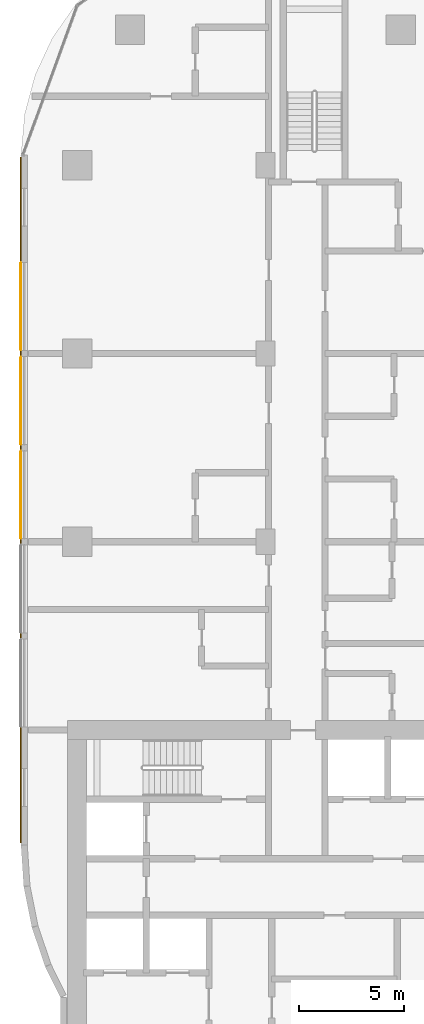
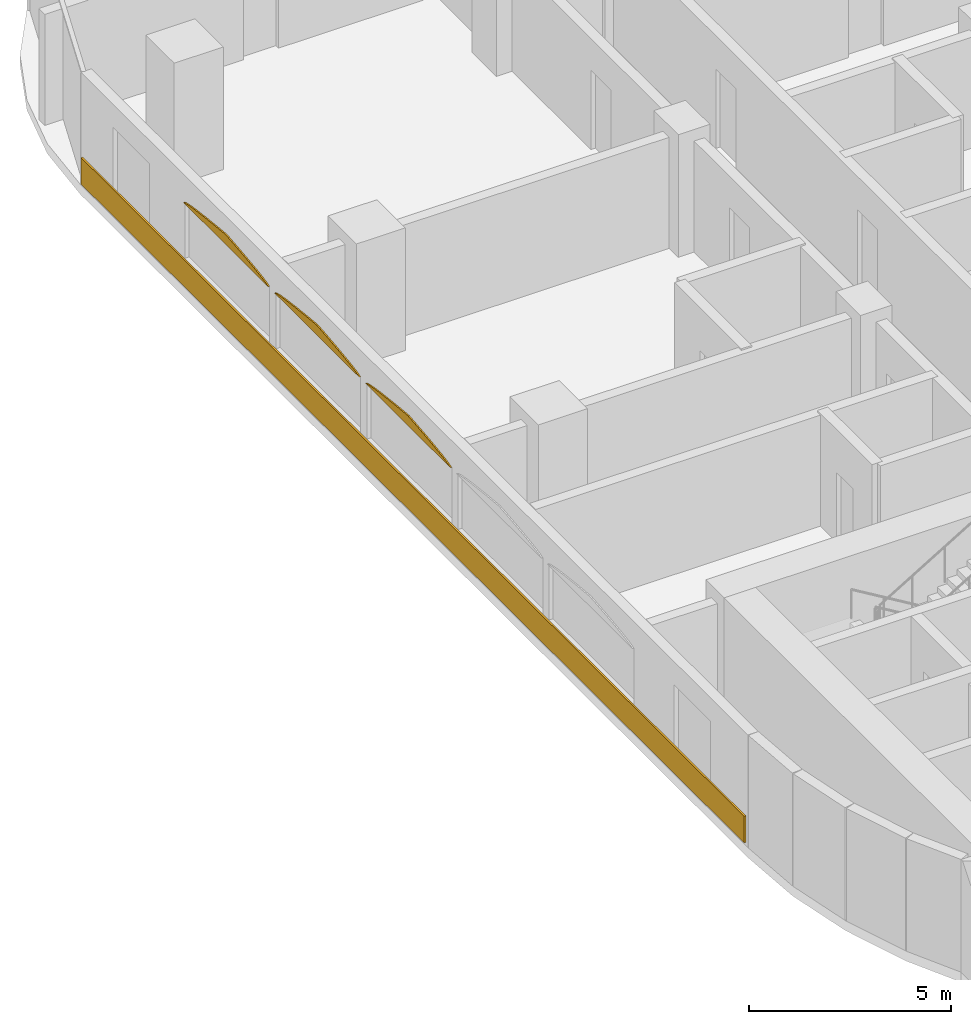
# One storey, part 32 of 34: 4 coverings.
"""IFC4 building model written with IfcOpenShell, lengths in metres."""

from ifc_helpers import new_model, si_unit, direction, frame, origin, origin_2d, place, context, subcontext, project, spatial, polyline, rectangle, outline, extrude, material, layer, layer_set, type_object, element, save


model = new_model("IFC4")

# Units and contexts
model_context = context("Model", 3, precision=1e-05, world=origin(), true_north=direction((0.0, 1.0)))
body_context = subcontext(model_context, "Body", "Model", "MODEL_VIEW")
ifc_project = project(units=[si_unit("LENGTHUNIT", "METRE"), si_unit("AREAUNIT", "SQUARE_METRE"), si_unit("VOLUMEUNIT", "CUBIC_METRE"), si_unit("PLANEANGLEUNIT", "RADIAN"), si_unit("MASSUNIT", "GRAM", prefix="KILO")], contexts=[model_context])

# Site, building, storey
site_placement = place(None, origin())
site = spatial("IfcSite", under=ifc_project, at=site_placement, CompositionType="ELEMENT")
building_placement = place(site_placement, origin())
building = spatial("IfcBuilding", under=site, at=building_placement, Name="Ogive Portal Towers", CompositionType="ELEMENT")
storey_placement = place(building_placement, frame((0.0, 0.0, 66.800048828125)))
storey = spatial("IfcBuildingStorey", under=building, at=storey_placement, Name="L15", CompositionType="ELEMENT", Elevation=66.800048828125)

# Coverings
ifc_material = material(Name="Limestone cladding on lightweight block wall", Category="masonry")
ifc_layer_1 = layer(ifc_material, 0.0400390625)
ifc_layer_set_1 = layer_set([ifc_layer_1], Name="LANCET HEAD STONE")
covering_type_1 = type_object("IfcCoveringType", Name="LANCET HEAD STONE", PredefinedType="CLADDING", material=ifc_layer_set_1)
for number, where, z_axis, x_axis, name in (
    (1, (28.820068359375, 61.85009765625, 2.599853515625), (0.999947746022, 0.0, 0.010222779737), (0.0, -1.0, 0.0), "Lancet head"),
    (2, (28.820068359375, 57.35009765625, 2.599853515625), (0.999947746022, 0.0, 0.010222779737), (0.0, -1.0, 0.0), "Lancet head"),
    (3, (28.820068359375, 52.85009765625, 2.599853515625), (0.999947746022, 0.0, 0.010222779737), (0.0, -1.0, 0.0), "Lancet head"),
):
    element("IfcCovering", number, at=place(storey_placement, frame(where, z_axis=z_axis, x_axis=x_axis)), inside=storey, type_object=covering_type_1, Name=name, PredefinedType="CLADDING", context=body_context, shape_type="SweptSolid", body=[
        extrude(outline(polyline([(0.0, 0.0), (4.2001953125, 0.0), (4.107177734375, -0.03760068321456534), (3.9375, -0.07519887063329651), (3.7177734375, -0.11255542598018069), (3.45751953125, -0.15015361339891187), (3.162353515625, -0.18751016874579607), (2.836181640625, -0.2251083561645272), (2.481201171875, -0.26270903937909257), (2.10009765625, -0.30006559472597677), (1.718994140625, -0.26270903937909257), (1.364013671875, -0.2251083561645272), (1.037841796875, -0.18751016874579607), (0.74267578125, -0.15015361339891187), (0.482421875, -0.11255542598018069), (0.2626953125, -0.07519887063329651), (0.093017578125, -0.03760068321456534), (0.0, 0.0)])), origin(), (0.0, 0.0, -1.0), 0.0400390625),
    ])
ifc_layer_2 = layer(ifc_material, 0.050048828125)
ifc_layer_set_2 = layer_set([ifc_layer_2], Name="SCREEN PERFORATED STONE")
covering_type_2 = type_object("IfcCoveringType", Name="SCREEN PERFORATED STONE", PredefinedType="CLADDING", material=ifc_layer_set_2)
covering_placement = place(storey_placement, frame((28.794921875, 50.497802734375, 0.10009765625), z_axis=(0.0, 0.0, 1.0), x_axis=(0.0, -1.0, 0.0)))
element("IfcCovering", 4, at=covering_placement, inside=storey, type_object=covering_type_2, Name="Tracery screen", PredefinedType="CLADDING", context=body_context, shape_type="SweptSolid", body=[
    extrude(rectangle(XDim=32.776123046875, YDim=0.050048828125, at=origin_2d()), origin(), (0.0, 0.0, 1.0), 0.800048828125),
])

save(model, "model.ifc")
